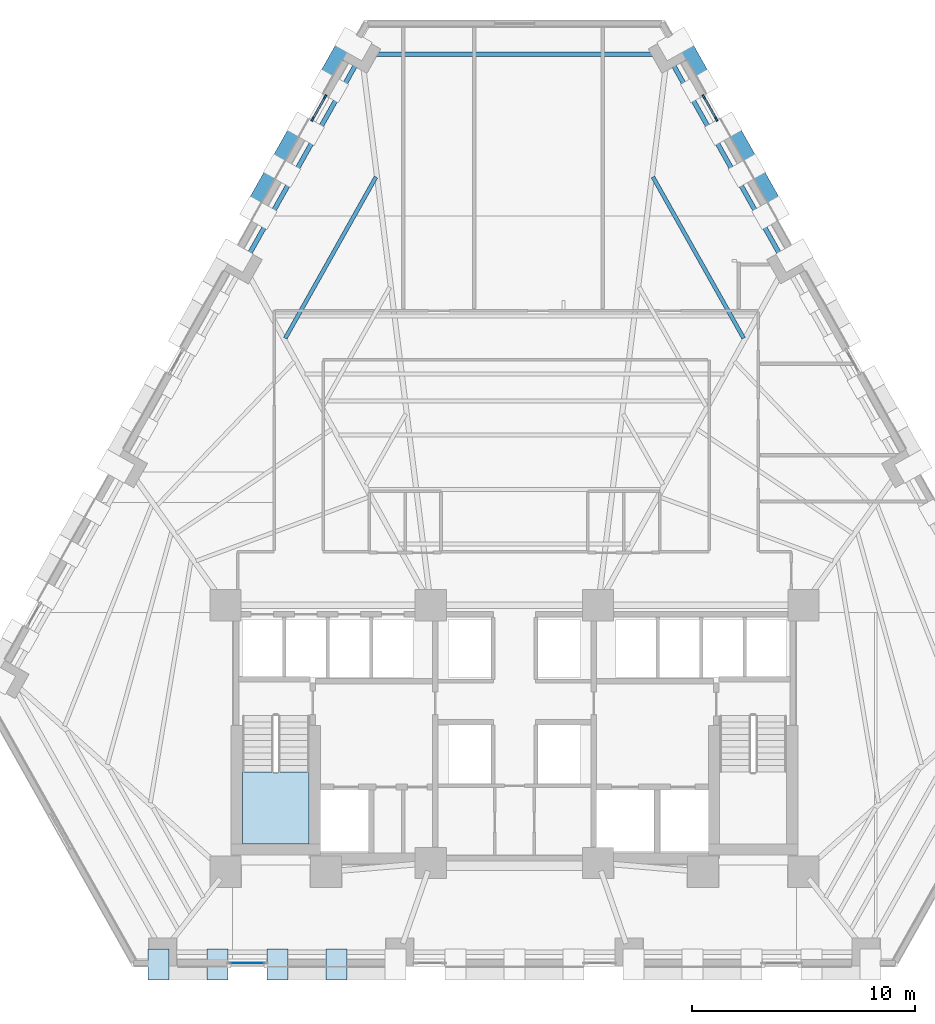
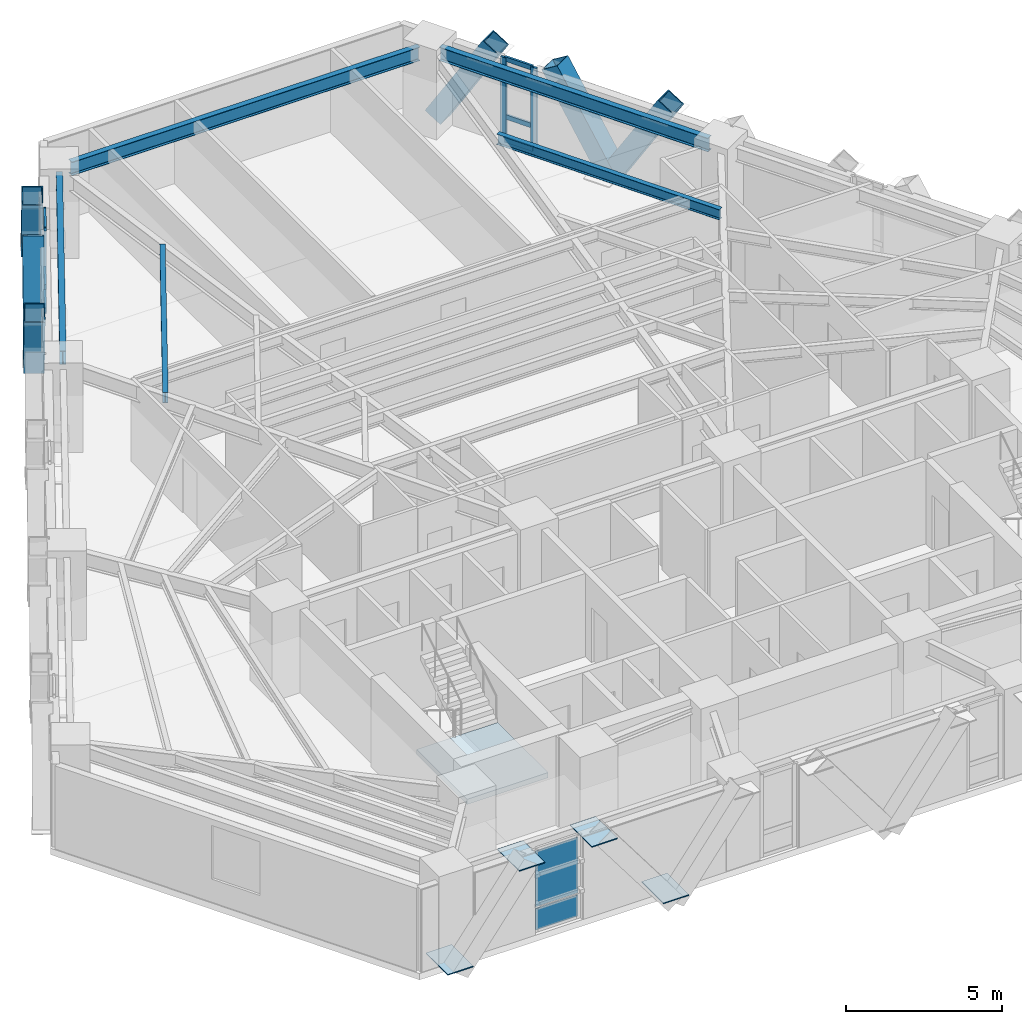
# One storey, part 5 of 13: 16 members, 6 plates, 5 beams, 1 slab, 4 elements without a shape of their own.
"""IFC4 building model written with IfcOpenShell, lengths in metres."""

from ifc_helpers import new_model, si_unit, direction, frame, origin, origin_2d, place, context, subcontext, project, spatial, polyline, rectangle, hollow_rectangle, i_section, outline, extrude, material, layer, layer_set, material_profile, profile_set, type_object, element, aggregate, save


model = new_model("IFC4")

# Units and contexts
model_context = context("Model", 3, precision=1e-05, world=origin(), true_north=direction((0.0, 1.0)))
body_context = subcontext(model_context, "Body", "Model", "MODEL_VIEW")
ifc_project = project(units=[si_unit("LENGTHUNIT", "METRE"), si_unit("AREAUNIT", "SQUARE_METRE"), si_unit("VOLUMEUNIT", "CUBIC_METRE"), si_unit("PLANEANGLEUNIT", "RADIAN"), si_unit("MASSUNIT", "GRAM", prefix="KILO")], contexts=[model_context])

# Site, building, storey
site_placement = place(None, origin())
site = spatial("IfcSite", under=ifc_project, at=site_placement, CompositionType="ELEMENT")
building_placement = place(site_placement, origin())
building = spatial("IfcBuilding", under=site, at=building_placement, Name="Quenlor Broadcast Tower", CompositionType="ELEMENT")
storey_placement = place(building_placement, frame((0.0, 0.0, 38.10009765625)))
storey = spatial("IfcBuildingStorey", under=building, at=storey_placement, Name="L09", CompositionType="ELEMENT", Elevation=38.10009765625)

# Curtain wall, members
ifc_material_1 = material(Name="Architectural Terracotta and Low-E Glazing", Category="masonry")
curtain_wall_type = type_object("IfcCurtainWallType", Name="Unitised Terracotta Curtain Wall System Z1", PredefinedType="NOTDEFINED", material=ifc_material_1)
curtain_wall_1_placement = place(storey_placement, origin())
curtain_wall_1 = element("IfcCurtainWall", 1, at=curtain_wall_1_placement, inside=storey, type_object=curtain_wall_type, Name="L09 Curtain Wall CW1 (L09-NEA-G1)", PredefinedType="NOTDEFINED")
ifc_material_2 = material(Name="Aluminium 6063-T6", Category="aluminium")
ifc_material_profile_1 = material_profile(ifc_material_2, rectangle(XDim=0.080078125, YDim=0.219970703125, at=origin_2d()))
ifc_profile_set_1 = profile_set([ifc_material_profile_1], Name="Aluminium 6063-T6 MULL80x220")
member_type_1 = type_object("IfcMemberType", Name="CW1 Aluminium Mullion MULL_CW1", PredefinedType="MULLION", material=ifc_profile_set_1)
member_1_placement = place(storey_placement, frame((8.489990234375, 17.97998046875, 0.0), z_axis=(0.0, 0.0, 1.0), x_axis=(0.871566703483, 0.490276943553, 0.0)))
member_1 = element("IfcMember", 2, at=member_1_placement, type_object=member_type_1, Name="CW1 mullion 1", PredefinedType="MULLION", context=body_context, shape_type="SweptSolid", body=[
    extrude(rectangle(XDim=0.080078125, YDim=0.219970703125, at=origin_2d()), origin(), (0.0, 0.0, 1.0), 3.25),
])
member_2_placement = place(storey_placement, frame((9.043701171875, 16.995849609375, 0.0), z_axis=(0.0, 0.0, 1.0), x_axis=(0.871566703483, 0.490276943553, 0.0)))
member_2 = element("IfcMember", 3, at=member_2_placement, type_object=member_type_1, Name="CW1 mullion 2", PredefinedType="MULLION", context=body_context, shape_type="SweptSolid", body=[
    extrude(rectangle(XDim=0.080078125, YDim=0.219970703125, at=origin_2d()), origin(), (0.0, 0.0, 1.0), 3.25),
])

curtain_wall_2_placement = place(storey_placement, origin())
curtain_wall_2 = element("IfcCurtainWall", 4, at=curtain_wall_2_placement, inside=storey, type_object=curtain_wall_type, Name="L09 Curtain Wall CW1 (L09-NWC-G1)", PredefinedType="NOTDEFINED")
member_3_placement = place(storey_placement, frame((-9.043701171875, 16.995849609375, 0.0), z_axis=(0.0, 0.0, 1.0), x_axis=(-0.871566703483, 0.490276943553, 0.0)))
member_3 = element("IfcMember", 5, at=member_3_placement, type_object=member_type_1, Name="CW1 mullion 1", PredefinedType="MULLION", context=body_context, shape_type="SweptSolid", body=[
    extrude(rectangle(XDim=0.080078125, YDim=0.219970703125, at=origin_2d()), origin(), (0.0, 0.0, 1.0), 3.25),
])
member_4_placement = place(storey_placement, frame((-8.489990234375, 17.97998046875, 0.0), z_axis=(0.0, 0.0, 1.0), x_axis=(-0.871566703483, 0.490276943553, 0.0)))
member_4 = element("IfcMember", 6, at=member_4_placement, type_object=member_type_1, Name="CW1 mullion 2", PredefinedType="MULLION", context=body_context, shape_type="SweptSolid", body=[
    extrude(rectangle(XDim=0.080078125, YDim=0.219970703125, at=origin_2d()), origin(), (0.0, 0.0, 1.0), 3.25),
])

# Member
ifc_material_3 = material(Name="Aluminium 6063-T6", Category="aluminium")
ifc_material_profile_2 = material_profile(ifc_material_3, rectangle(XDim=0.080078125, YDim=0.179931640625, at=origin_2d()))
ifc_profile_set_2 = profile_set([ifc_material_profile_2], Name="Aluminium 6063-T6 TRAN80x180")
member_type_2 = type_object("IfcMemberType", Name="CW1 Aluminium Transom TRAN_CW1", PredefinedType="USERDEFINED", material=ifc_profile_set_2)
member_5_placement = place(storey_placement, frame((8.509765625, 17.945068359375, 0.039794921875), z_axis=(0.490239146026, -0.87158796441, 0.0), x_axis=(0.87158796441, 0.490239146026, 0.0)))
member_5 = element("IfcMember", 7, at=member_5_placement, type_object=member_type_2, Name="CW1 transom 1.1", ObjectType="TRANSOM", PredefinedType="USERDEFINED", context=body_context, shape_type="SweptSolid", body=[
    extrude(rectangle(XDim=0.080078125, YDim=0.179931640625, at=origin_2d()), origin(), (0.0, 0.0, 1.0), 1.04931640625),
])

member_6_placement = place(storey_placement, frame((8.509765625, 17.945068359375, 0.949951171875), z_axis=(0.490239146026, -0.87158796441, 0.0), x_axis=(0.87158796441, 0.490239146026, 0.0)))
member_6 = element("IfcMember", 8, at=member_6_placement, type_object=member_type_2, Name="CW1 transom 1.2", ObjectType="TRANSOM", PredefinedType="USERDEFINED", context=body_context, shape_type="SweptSolid", body=[
    extrude(rectangle(XDim=0.080078125, YDim=0.179931640625, at=origin_2d()), origin(), (0.0, 0.0, 1.0), 1.04931640625),
])

member_7_placement = place(storey_placement, frame((8.509765625, 17.945068359375, 3.2099609375), z_axis=(0.490239146026, -0.87158796441, 0.0), x_axis=(0.87158796441, 0.490239146026, 0.0)))
member_7 = element("IfcMember", 9, at=member_7_placement, type_object=member_type_2, Name="CW1 transom 1.3", ObjectType="TRANSOM", PredefinedType="USERDEFINED", context=body_context, shape_type="SweptSolid", body=[
    extrude(rectangle(XDim=0.080078125, YDim=0.179931640625, at=origin_2d()), origin(), (0.0, 0.0, 1.0), 1.04931640625),
])

aggregate(curtain_wall_1, [member_1, member_2, member_5, member_6, member_7])

member_8_placement = place(storey_placement, frame((-9.024169921875, 17.030517578125, 0.039794921875), z_axis=(0.490239146026, 0.87158796441, 0.0), x_axis=(-0.87158796441, 0.490239146026, 0.0)))
member_8 = element("IfcMember", 10, at=member_8_placement, type_object=member_type_2, Name="CW1 transom 1.1", ObjectType="TRANSOM", PredefinedType="USERDEFINED", context=body_context, shape_type="SweptSolid", body=[
    extrude(rectangle(XDim=0.080078125, YDim=0.179931640625, at=origin_2d()), origin(), (0.0, 0.0, 1.0), 1.04931640625),
])

member_9_placement = place(storey_placement, frame((-9.024169921875, 17.030517578125, 0.949951171875), z_axis=(0.490239146026, 0.87158796441, 0.0), x_axis=(-0.87158796441, 0.490239146026, 0.0)))
member_9 = element("IfcMember", 11, at=member_9_placement, type_object=member_type_2, Name="CW1 transom 1.2", ObjectType="TRANSOM", PredefinedType="USERDEFINED", context=body_context, shape_type="SweptSolid", body=[
    extrude(rectangle(XDim=0.080078125, YDim=0.179931640625, at=origin_2d()), origin(), (0.0, 0.0, 1.0), 1.04931640625),
])

member_10_placement = place(storey_placement, frame((-9.024169921875, 17.030517578125, 3.2099609375), z_axis=(0.490239146026, 0.87158796441, 0.0), x_axis=(-0.87158796441, 0.490239146026, 0.0)))
member_10 = element("IfcMember", 12, at=member_10_placement, type_object=member_type_2, Name="CW1 transom 1.3", ObjectType="TRANSOM", PredefinedType="USERDEFINED", context=body_context, shape_type="SweptSolid", body=[
    extrude(rectangle(XDim=0.080078125, YDim=0.179931640625, at=origin_2d()), origin(), (0.0, 0.0, 1.0), 1.04931640625),
])

aggregate(curtain_wall_2, [member_3, member_4, member_8, member_9, member_10])

# Members
ifc_material_4 = material(Name="Steel S355", Category="steel")
ifc_material_profile_3 = material_profile(ifc_material_4, hollow_rectangle(XDim=0.679931640625, YDim=0.679931640625, WallThickness=0.034912109375, at=origin_2d()))
ifc_profile_set_3 = profile_set([ifc_material_profile_3], Name="Steel S355 RHS680x680x35")
member_type_3 = type_object("IfcMemberType", Name="Perimeter Diagonal Lattice Brace Z1 Steel S355 RHS680x35", PredefinedType="BRACE", material=ifc_profile_set_3)
for number, where, z_axis, x_axis, name in (
    (13, (7.519287109375, 20.51171875, -0.1201171875), (0.256375341489, -0.45579159737, 0.852364771705), (0.871581609758, 0.490250443683, 0.0), "L09 Perimeter Diamond Lattice NE-C1S"),
    (14, (10.703125, 14.851318359375, -0.1201171875), (-0.256375341489, 0.45579159737, 0.852364771705), (-0.871581609758, -0.490250443683, 0.0), "L09 Perimeter Diamond Lattice NE-C1B"),
    (15, (10.716064453125, 14.82861328125, -0.1201171875), (0.256375341489, -0.45579159737, 0.852364771705), (0.871581609758, 0.490250443683, 0.0), "L09 Perimeter Diamond Lattice NE-C2S"),
    (16, (-10.716064453125, 14.82861328125, -0.1201171875), (-0.256375341489, -0.45579159737, 0.852364771705), (0.871581609758, -0.490250443683, 0.0), "L09 Perimeter Diamond Lattice NW-C4B"),
    (17, (-10.703125, 14.851318359375, -0.1201171875), (0.256375341489, 0.45579159737, 0.852364771705), (-0.871581609758, 0.490250443683, 0.0), "L09 Perimeter Diamond Lattice NW-C5S"),
    (18, (-7.519287109375, 20.51171875, -0.1201171875), (-0.256375341489, -0.45579159737, 0.852364771705), (0.871581609758, -0.490250443683, 0.0), "L09 Perimeter Diamond Lattice NW-C5B"),
):
    element("IfcMember", number, at=place(storey_placement, frame(where, z_axis=z_axis, x_axis=x_axis)), inside=storey, type_object=member_type_3, Name=name, PredefinedType="BRACE", context=body_context, shape_type="SweptSolid", body=[
        extrude(hollow_rectangle(XDim=0.679931640625, YDim=0.679931640625, WallThickness=0.034912109375, at=origin_2d()), origin(), (0.0, 0.0, 1.0), 4.106201171875),
    ])

# Beams
ifc_material_5 = material(Name="Steel S355", Category="steel")
ifc_material_profile_4 = material_profile(ifc_material_5, i_section(OverallWidth=0.208984375, OverallDepth=0.532958984375, WebThickness=0.01025390625, FlangeThickness=0.015625, FilletRadius=0.013916015625, at=origin_2d()))
ifc_profile_set_4 = profile_set([ifc_material_profile_4], Name="Steel S355 530UB92.4")
beam_type_1 = type_object("IfcBeamType", Name="Perimeter Spandrel Beam Z1 Steel S355 530UB92.4", PredefinedType="SPANDREL", material=ifc_profile_set_4)
beam_1_placement = place(storey_placement, frame((11.962158203125, 10.80810546875, 2.9833984375), z_axis=(-0.490257767622, 0.871577490121, 0.0), x_axis=(-0.871577490121, -0.490257767622, 0.0)))
element("IfcBeam", 19, at=beam_1_placement, inside=storey, type_object=beam_type_1, Name="L09 Spandrel Beam NE3-NE4", PredefinedType="SPANDREL", context=body_context, shape_type="SweptSolid", body=[
    extrude(i_section(OverallWidth=0.208984375, OverallDepth=0.532958984375, WebThickness=0.01025390625, FlangeThickness=0.015625, FilletRadius=0.013916015625, at=origin_2d()), origin(), (0.0, 0.0, 1.0), 10.015380859375),
])
beam_2_placement = place(storey_placement, frame((6.44091796875, 19.894775390625, 2.9833984375), z_axis=(-1.0, 0.0, 0.0), x_axis=(0.0, -1.0, 0.0)))
element("IfcBeam", 20, at=beam_2_placement, inside=storey, type_object=beam_type_1, Name="L09 Spandrel Beam NE4-NW1", PredefinedType="SPANDREL", context=body_context, shape_type="SweptSolid", body=[
    extrude(i_section(OverallWidth=0.208984375, OverallDepth=0.532958984375, WebThickness=0.01025390625, FlangeThickness=0.015625, FilletRadius=0.013916015625, at=origin_2d()), origin(), (0.0, 0.0, 1.0), 12.8818359375),
])
beam_3_placement = place(storey_placement, frame((-7.052001953125, 19.537353515625, 2.9833984375), z_axis=(-0.490257767622, -0.871577490121, 0.0), x_axis=(0.871577490121, -0.490257767622, 0.0)))
element("IfcBeam", 21, at=beam_3_placement, inside=storey, type_object=beam_type_1, Name="L09 Spandrel Beam NW1-NW2", PredefinedType="SPANDREL", context=body_context, shape_type="SweptSolid", body=[
    extrude(i_section(OverallWidth=0.208984375, OverallDepth=0.532958984375, WebThickness=0.01025390625, FlangeThickness=0.015625, FilletRadius=0.013916015625, at=origin_2d()), origin(), (0.0, 0.0, 1.0), 10.015380859375),
])
ifc_material_6 = material(Name="Steel S355", Category="steel")
ifc_material_profile_5 = material_profile(ifc_material_6, i_section(OverallWidth=0.177978515625, OverallDepth=0.406494140625, WebThickness=0.0078125, FlangeThickness=0.0126953125, FilletRadius=0.011474609375, at=origin_2d()))
ifc_profile_set_5 = profile_set([ifc_material_profile_5], Name="Steel S355 410UB59.7")
beam_type_2 = type_object("IfcBeamType", Name="Tower Composite Joist Z1 Steel S355 410UB59.7", PredefinedType="JOIST", material=ifc_profile_set_5)
for number, where, z_axis, x_axis, name in (
    (22, (-6.2080078125, 14.39208984375, 3.046630859375), (-0.490248658014, -0.871582614166, 0.0), (0.871582614166, -0.490248658014, 0.0), "L09 Secondary Composite Joist 27"),
    (23, (6.2080078125, 14.39208984375, 3.046630859375), (0.490248658014, -0.871582614166, 0.0), (0.871582614166, 0.490248658014, 0.0), "L09 Secondary Composite Joist 30"),
):
    element("IfcBeam", number, at=place(storey_placement, frame(where, z_axis=z_axis, x_axis=x_axis)), inside=storey, type_object=beam_type_2, Name=name, PredefinedType="JOIST", context=body_context, shape_type="SweptSolid", body=[
        extrude(i_section(OverallWidth=0.177978515625, OverallDepth=0.406494140625, WebThickness=0.0078125, FlangeThickness=0.0126953125, FilletRadius=0.011474609375, at=origin_2d()), origin(), (0.0, 0.0, 1.0), 8.29150390625),
    ])

# Curtain wall, plates
curtain_wall_3_placement = place(storey_placement, origin())
curtain_wall_3 = element("IfcCurtainWall", 24, at=curtain_wall_3_placement, inside=storey, type_object=curtain_wall_type, Name="L09 Curtain Wall CW1 (L09-SC-G1)", PredefinedType="NOTDEFINED")
ifc_material_7 = material(Name="Double Glazed Low-E Solar Glass", Category="glass")
ifc_layer_1 = layer(ifc_material_7, 0.031982421875)
ifc_layer_set_1 = layer_set([ifc_layer_1], Name="CW1 Double Glazed Vision Panel 32")
plate_type_1 = type_object("IfcPlateType", Name="CW1 Double Glazed Vision Panel 32", PredefinedType="CURTAIN_PANEL", material=ifc_layer_set_1)
plate_1_placement = place(storey_placement, frame((-11.970703125, -20.840087890625, 0.079833984375), z_axis=(0.0, 0.0, 1.0), x_axis=(-1.0, 0.0, 0.0)))
plate_1 = element("IfcPlate", 25, at=plate_1_placement, type_object=plate_type_1, Name="CW1 panel 1.1", PredefinedType="CURTAIN_PANEL", context=body_context, shape_type="SweptSolid", body=[
    extrude(rectangle(XDim=1.568359375, YDim=0.031982421875, at=origin_2d()), origin(), (0.0, 0.0, 1.0), 0.830078125),
])
plate_2_placement = place(storey_placement, frame((-11.970703125, -20.840087890625, 0.98974609375), z_axis=(0.0, 0.0, 1.0), x_axis=(-1.0, 0.0, 0.0)))
plate_2 = element("IfcPlate", 26, at=plate_2_placement, type_object=plate_type_1, Name="CW1 panel 1.2", PredefinedType="CURTAIN_PANEL", context=body_context, shape_type="SweptSolid", body=[
    extrude(rectangle(XDim=1.568359375, YDim=0.031982421875, at=origin_2d()), origin(), (0.0, 0.0, 1.0), 2.179931640625),
])
aggregate(curtain_wall_3, [plate_1, plate_2])

# Stair, slab
ifc_material_8 = material(Name="Precast concrete C40/50", Category="concrete")
stair_type = type_object("IfcStairType", Name="Precast Concrete C40/50 Dogleg Stair H350", PredefinedType="HALF_TURN_STAIR", material=ifc_material_8)
stair_placement = place(storey_placement, origin())
stair = element("IfcStair", 27, at=stair_placement, inside=storey, type_object=stair_type, Name="L09 West Core Fire-Isolated Exit Stair ST-1", PredefinedType="HALF_TURN_STAIR")
ifc_material_9 = material(Name="Precast concrete C40/50", Category="concrete")
ifc_layer_2 = layer(ifc_material_9, 0.199951171875)
ifc_layer_set_2 = layer_set([ifc_layer_2], Name="Precast Concrete C40/50 Stair Landing Slab 200")
slab_type = type_object("IfcSlabType", Name="Precast Concrete C40/50 Stair Landing Slab 200", PredefinedType="LANDING", material=ifc_layer_set_2)
slab_placement = place(storey_placement, frame((0.0, 0.0, 1.5498046875)))
slab = element("IfcSlab", 28, at=slab_placement, type_object=slab_type, Name="ST-1 landing 1", PredefinedType="LANDING", context=body_context, shape_type="SweptSolid", body=[
    extrude(outline(polyline([(-12.199951171875, -12.27001953125), (-12.199951171875, -15.5), (-9.199951171875, -15.5), (-9.199951171875, -12.27001953125), (-12.199951171875, -12.27001953125)])), origin(), (0.0, 0.0, 1.0), 0.2001953125),
])
aggregate(stair, [slab])

# Plates
ifc_material_10 = material(Name="Steel S355", Category="steel")
ifc_layer_3 = layer(ifc_material_10, 0.035888671875)
ifc_layer_set_3 = layer_set([ifc_layer_3], Name="Transfer Truss Steel S355 Gusset Node Plate 1400x950x36")
plate_type_2 = type_object("IfcPlateType", Name="Transfer Truss Steel S355 Gusset Node Plate 1400x950x36", PredefinedType="SHEET", material=ifc_layer_set_3)
for number, where, z_axis, x_axis, name in (
    (29, (-7.98046875, -20.89990234375, 0.0419921875), (0.0, 0.0, 1.0), (0.0, -1.0, 0.0), "L09 Lattice Tie Gusset Node S-B9"),
    (30, (-10.624755859375, -20.89990234375, 3.18212890625), (0.0, 0.0, 1.0), (0.0, -1.0, 0.0), "L09 Lattice Tie Gusset Node S-T10"),
    (31, (-15.9609375, -20.89990234375, 0.0419921875), (0.0, 0.0, 1.0), (0.0, -1.0, 0.0), "L09 Lattice Tie Gusset Node S-B12"),
    (32, (-13.31689453125, -20.89990234375, 3.18212890625), (0.0, 0.0, 1.0), (0.0, -1.0, 0.0), "L09 Lattice Tie Gusset Node S-T11"),
):
    element("IfcPlate", number, at=place(storey_placement, frame(where, z_axis=z_axis, x_axis=x_axis)), inside=storey, type_object=plate_type_2, Name=name, PredefinedType="SHEET", context=body_context, shape_type="SweptSolid", body=[
        extrude(rectangle(XDim=1.39990234375, YDim=0.949951171875, at=origin_2d()), origin(), (0.0, 0.0, 1.0), 0.035888671875),
    ])

save(model, "model.ifc")
